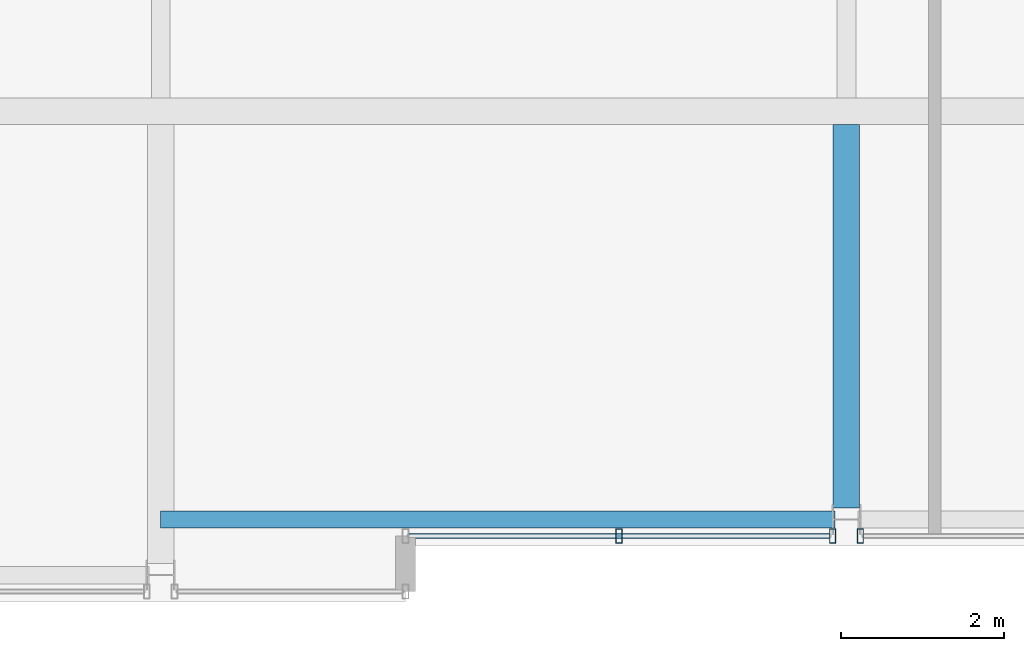
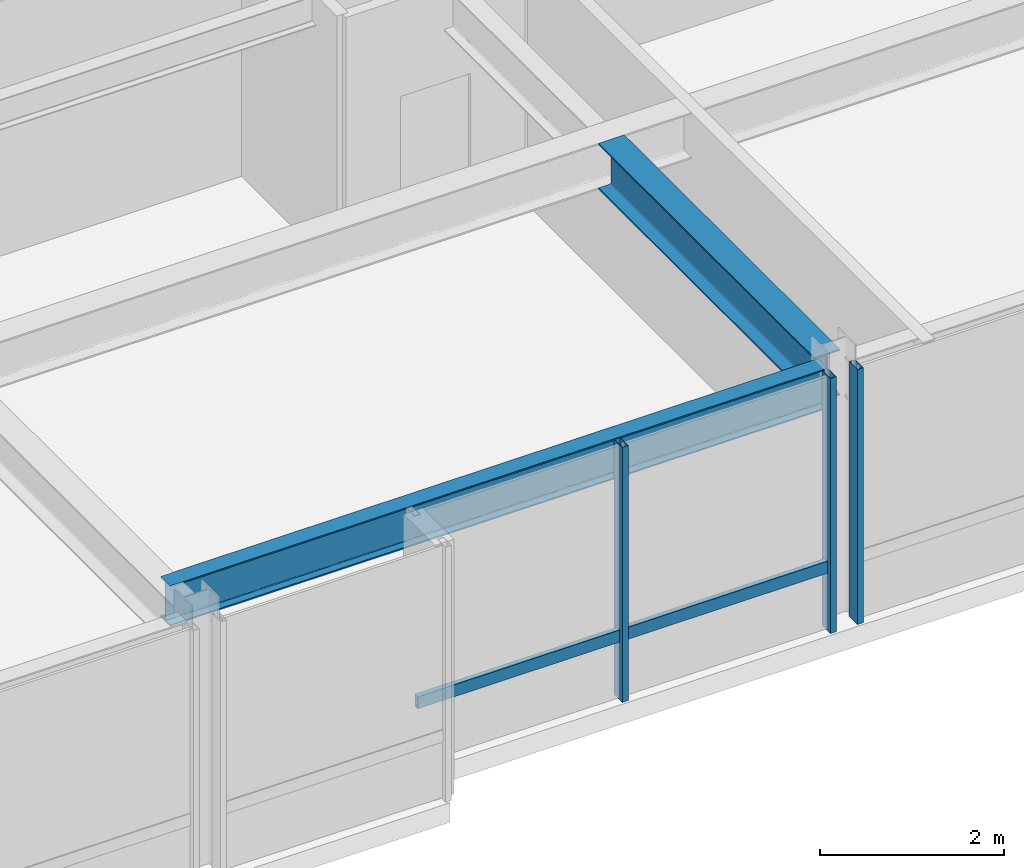
# One storey, part 7 of 33: 4 members, 2 beams, 2 elements without a shape of their own.
"""IFC4 building model written with IfcOpenShell, lengths in metres."""

from ifc_helpers import new_model, si_unit, direction, frame, origin, origin_2d, place, context, subcontext, project, spatial, hollow_rectangle, i_section, extrude, material, layer, layer_set, material_profile, profile_set, type_object, element, aggregate, save


model = new_model("IFC4")

# Units and contexts
model_context = context("Model", 3, precision=1e-05, world=origin(), true_north=direction((0.0, 1.0)))
body_context = subcontext(model_context, "Body", "Model", "MODEL_VIEW")
ifc_project = project(units=[si_unit("LENGTHUNIT", "METRE"), si_unit("AREAUNIT", "SQUARE_METRE"), si_unit("VOLUMEUNIT", "CUBIC_METRE"), si_unit("PLANEANGLEUNIT", "RADIAN"), si_unit("MASSUNIT", "GRAM", prefix="KILO")], contexts=[model_context])

# Site, building, storey
site_placement = place(None, origin())
site = spatial("IfcSite", under=ifc_project, at=site_placement, CompositionType="ELEMENT")
building_placement = place(site_placement, origin())
building = spatial("IfcBuilding", under=site, at=building_placement, Name="Drelvath Grand Hotel", CompositionType="ELEMENT")
storey_placement = place(building_placement, frame((0.0, 0.0, 275.949951171875)))
storey = spatial("IfcBuildingStorey", under=building, at=storey_placement, Name="L72", CompositionType="ELEMENT", Elevation=275.949951171875)

# Curtain wall, members
ifc_material_1 = material(Name="Platinum-Mist Anodised Aluminium Frame", Category="aluminium")
ifc_layer = layer(ifc_material_1, 0.199951171875)
ifc_layer_set = layer_set([ifc_layer], Name="Platinum-Mist Anodised Aluminium Frame")
curtain_wall_type = type_object("IfcCurtainWallType", Name="Stick Curtain Wall CW-05 Platinum Mist High-Rise", PredefinedType="NOTDEFINED", material=ifc_layer_set)
curtain_wall_1_placement = place(storey_placement, origin())
curtain_wall_1 = element("IfcCurtainWall", 1, at=curtain_wall_1_placement, inside=storey, type_object=curtain_wall_type, Name="L72 CW-05 Curtain Wall CW05-L72-SM1", PredefinedType="NOTDEFINED")
ifc_material_profile_1 = material_profile(ifc_material_1, hollow_rectangle(XDim=0.06494140625, YDim=0.159912109375, WallThickness=0.00390625, at=origin_2d()), Name="HSS160X65X4")
ifc_profile_set_1 = profile_set([ifc_material_profile_1], Name="Platinum-Mist Anodised Aluminium Frame")
member_type_1 = type_object("IfcMemberType", Name="Curtain Wall Horizontal Transom CW-05 HSS160X65X4", PredefinedType="USERDEFINED", material=ifc_profile_set_1)
member_1_placement = place(storey_placement, frame((-0.210205078125, 5.60009765625, 0.84765625), z_axis=(-1.0, 0.0, 0.0), x_axis=(0.0, -1.0, 0.0)))
member_1 = element("IfcMember", 2, at=member_1_placement, type_object=member_type_1, Name="CW05-L72-SM1 Sill Transom", ObjectType="TRANSOM", PredefinedType="USERDEFINED", context=body_context, shape_type="SweptSolid", body=[
    extrude(hollow_rectangle(XDim=0.06494140625, YDim=0.159912109375, WallThickness=0.00390625, at=origin_2d()), origin(), (0.0, 0.0, 1.0), 5.14990234375),
])
ifc_material_profile_2 = material_profile(ifc_material_1, hollow_rectangle(XDim=0.074951171875, YDim=0.179931640625, WallThickness=0.0048828125, at=origin_2d()), Name="HSS180X75X5")
ifc_profile_set_2 = profile_set([ifc_material_profile_2], Name="Platinum-Mist Anodised Aluminium Frame")
member_type_2 = type_object("IfcMemberType", Name="Curtain Wall Vertical Mullion CW-05 HSS180X75X5", PredefinedType="MULLION", material=ifc_profile_set_2)
member_2_placement = place(storey_placement, frame((-0.170166015625, 5.60009765625, 0.0), z_axis=(0.0, 0.0, 1.0), x_axis=(1.0, 0.0, 0.0)))
member_2 = element("IfcMember", 3, at=member_2_placement, type_object=member_type_2, Name="CW05-L72-SM1 Mullion 1", PredefinedType="MULLION", context=body_context, shape_type="SweptSolid", body=[
    extrude(hollow_rectangle(XDim=0.074951171875, YDim=0.179931640625, WallThickness=0.0048828125, at=origin_2d()), origin(), (0.0, 0.0, 1.0), 3.39013671875),
])
member_3_placement = place(storey_placement, frame((-2.78515625, 5.60009765625, 0.0), z_axis=(0.0, 0.0, 1.0), x_axis=(1.0, 0.0, 0.0)))
member_3 = element("IfcMember", 4, at=member_3_placement, type_object=member_type_2, Name="CW05-L72-SM1 Mullion 2", PredefinedType="MULLION", context=body_context, shape_type="SweptSolid", body=[
    extrude(hollow_rectangle(XDim=0.074951171875, YDim=0.179931640625, WallThickness=0.0048828125, at=origin_2d()), origin(), (0.0, 0.0, 1.0), 3.39013671875),
])
aggregate(curtain_wall_1, [member_2, member_3, member_1])

# Curtain wall, member
curtain_wall_2_placement = place(storey_placement, origin())
curtain_wall_2 = element("IfcCurtainWall", 5, at=curtain_wall_2_placement, inside=storey, type_object=curtain_wall_type, Name="L72 CW-05 Curtain Wall CW05-L72-SM2", PredefinedType="NOTDEFINED")
member_4_placement = place(storey_placement, frame((0.170166015625, 5.60009765625, 0.0), z_axis=(0.0, 0.0, 1.0), x_axis=(1.0, 0.0, 0.0)))
member_4 = element("IfcMember", 6, at=member_4_placement, type_object=member_type_2, Name="CW05-L72-SM2 Mullion 3", PredefinedType="MULLION", context=body_context, shape_type="SweptSolid", body=[
    extrude(hollow_rectangle(XDim=0.074951171875, YDim=0.179931640625, WallThickness=0.0048828125, at=origin_2d()), origin(), (0.0, 0.0, 1.0), 3.39013671875),
])
aggregate(curtain_wall_2, [member_4])

# Beams
ifc_material_2 = material(Name="Steel ASTM A992 Gr 50", Category="steel")
ifc_material_profile_3 = material_profile(ifc_material_2, i_section(OverallWidth=0.210205078125, OverallDepth=0.53662109375, WebThickness=0.010986328125, FlangeThickness=0.017333984375, FilletRadius=0.01806640625, at=origin_2d()), Name="W21X68")
ifc_profile_set_3 = profile_set([ifc_material_profile_3], Name="Steel ASTM A992 Gr 50")
beam_type_1 = type_object("IfcBeamType", Name="Perimeter Spandrel Beam W21X68", PredefinedType="SPANDREL", material=ifc_profile_set_3)
beam_1_placement = place(storey_placement, frame((-8.39990234375, 5.800048828125, 3.12158203125), z_axis=(1.0, 0.0, 0.0), x_axis=(0.0, 1.0, 0.0)))
element("IfcBeam", 7, at=beam_1_placement, inside=storey, type_object=beam_type_1, Name="L72 Spandrel South Mid W", PredefinedType="SPANDREL", context=body_context, shape_type="SweptSolid", body=[
    extrude(i_section(OverallWidth=0.210205078125, OverallDepth=0.53662109375, WebThickness=0.010986328125, FlangeThickness=0.017333984375, FilletRadius=0.01806640625, at=origin_2d()), origin(), (0.0, 0.0, 1.0), 8.260009765625),
])
ifc_material_profile_4 = material_profile(ifc_material_2, i_section(OverallWidth=0.323974609375, OverallDepth=0.611083984375, WebThickness=0.0126953125, FlangeThickness=0.01904296875, FilletRadius=0.02197265625, at=origin_2d()), Name="W24X104")
ifc_profile_set_4 = profile_set([ifc_material_profile_4], Name="Steel ASTM A992 Gr 50")
beam_type_2 = type_object("IfcBeamType", Name="Primary Floor Girder W24X104", PredefinedType="BEAM", material=ifc_profile_set_4)
beam_2_placement = place(storey_placement, frame((0.0, 5.93994140625, 3.08447265625), z_axis=(0.0, 1.0, 0.0), x_axis=(-1.0, 0.0, 0.0)))
element("IfcBeam", 8, at=beam_2_placement, inside=storey, type_object=beam_type_2, Name="L72 South Wing Girder 5", PredefinedType="BEAM", context=body_context, shape_type="SweptSolid", body=[
    extrude(i_section(OverallWidth=0.323974609375, OverallDepth=0.611083984375, WebThickness=0.0126953125, FlangeThickness=0.01904296875, FilletRadius=0.02197265625, at=origin_2d()), origin(), (0.0, 0.0, 1.0), 4.697998046875),
])

save(model, "model.ifc")
